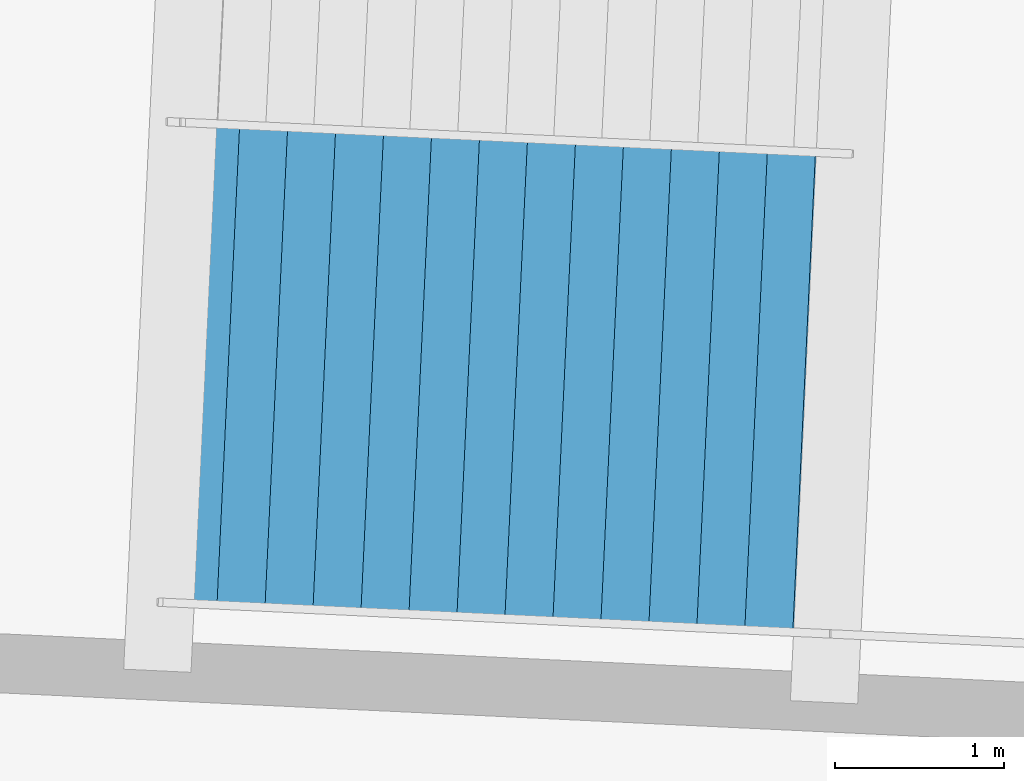
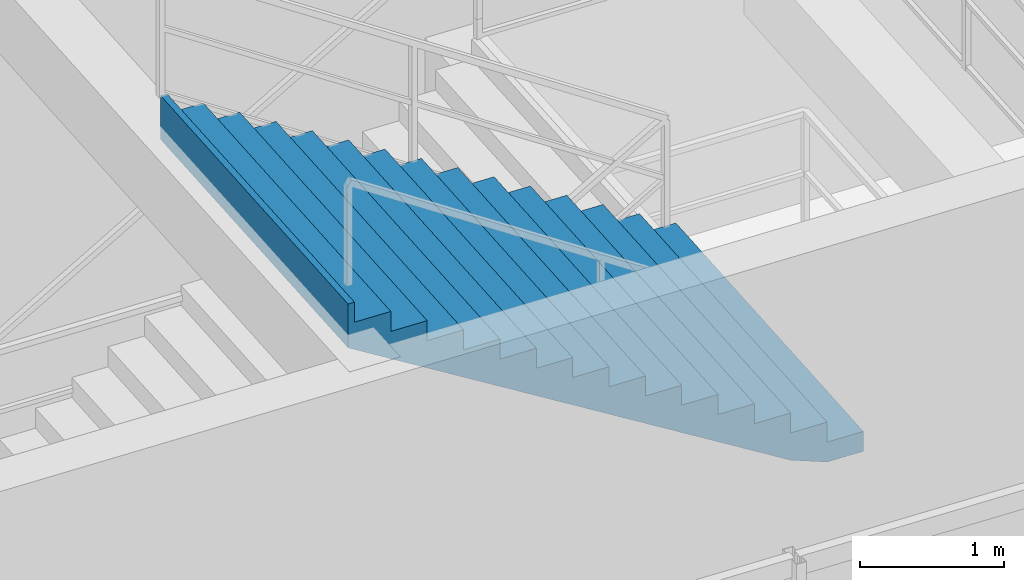
# One storey, part 157 of 184: 1 stair flight, 1 element without a shape of its own.
"""IFC4 building model written with IfcOpenShell, lengths in metres."""

from ifc_helpers import new_model, si_unit, direction, frame, origin, place, context, subcontext, project, spatial, polygons, material, type_object, element, aggregate, save


model = new_model("IFC4")

# Units and contexts
model_context = context("Model", 3, precision=1e-05, world=origin(), true_north=direction((0.0, 1.0)))
body_context = subcontext(model_context, "Body", "Model", "MODEL_VIEW")
ifc_project = project(units=[si_unit("LENGTHUNIT", "METRE"), si_unit("AREAUNIT", "SQUARE_METRE"), si_unit("VOLUMEUNIT", "CUBIC_METRE"), si_unit("PLANEANGLEUNIT", "RADIAN"), si_unit("MASSUNIT", "GRAM", prefix="KILO")], contexts=[model_context])

# Site, building, storey
site_placement = place(None, origin())
site = spatial("IfcSite", under=ifc_project, at=site_placement, CompositionType="ELEMENT")
building_placement = place(site_placement, origin())
building = spatial("IfcBuilding", under=site, at=building_placement, Name="Kazemori Nagisa Stadium", CompositionType="ELEMENT")
storey_placement = place(building_placement, frame((0.0, 0.0, 10.5400390625)))
storey = spatial("IfcBuildingStorey", under=building, at=storey_placement, Name="L02", CompositionType="ELEMENT", Elevation=10.5400390625)

# Stair, stair flight
ifc_material = material(Name="Concrete C36/45 (Fc36)", Category="concrete")
stair_type = type_object("IfcStairType", Name="Stair_CORE_30", PredefinedType="TWO_STRAIGHT_RUN_STAIR", material=ifc_material)
stair_placement = place(storey_placement, origin())
stair = element("IfcStair", 1, at=stair_placement, inside=storey, type_object=stair_type, Name="Exit stair ST12 L02", PredefinedType="TWO_STRAIGHT_RUN_STAIR")
stair_flight_type = type_object("IfcStairFlightType", Name="Flight_CORE_15", PredefinedType="STRAIGHT", material=ifc_material)
stair_flight_placement = place(storey_placement, frame((111.158447265625, 20.973876953125, 2.550048828125), z_axis=(0.0, 0.0, 1.0), x_axis=(-0.99888372663, 0.047236645449, 0.0)))
stair_flight = element("IfcStairFlight", 2, at=stair_flight_placement, type_object=stair_flight_type, Name="Exit stair ST12 L02 flight 2", NumberOfRisers=15, NumberOfTreads=14, PredefinedType="STRAIGHT", RiserHeight=0.17, TreadLength=0.285, context=body_context, shape_type="Tessellation", body=[
    polygons([(0.0, -1.425048828125, 0.0), (0.0, -1.425048828125, 0.169921875), (0.284912109375, -1.425048828125, 0.169921875), (0.284912109375, -1.425048828125, 0.340087890625), (0.570068359375, -1.425048828125, 0.340087890625), (0.570068359375, -1.425048828125, 0.510009765625), (0.85498046875, -1.425048828125, 0.510009765625), (0.85498046875, -1.425048828125, 0.679931640625), (1.139892578125, -1.425048828125, 0.679931640625), (1.139892578125, -1.425048828125, 0.85009765625), (1.425048828125, -1.425048828125, 0.85009765625), (1.425048828125, -1.425048828125, 1.02001953125), (1.7099609375, -1.425048828125, 1.02001953125), (1.7099609375, -1.425048828125, 1.18994140625), (1.9951171875, -1.425048828125, 1.18994140625), (1.9951171875, -1.425048828125, 1.360107421875), (2.280029296875, -1.425048828125, 1.360107421875), (2.280029296875, -1.425048828125, 1.530029296875), (2.56494140625, -1.425048828125, 1.530029296875), (2.56494140625, -1.425048828125, 1.699951171875), (2.85009765625, -1.425048828125, 1.699951171875), (2.85009765625, -1.425048828125, 1.8701171875), (3.135009765625, -1.425048828125, 1.8701171875), (3.135009765625, -1.425048828125, 2.0400390625), (3.419921875, -1.425048828125, 2.0400390625), (3.419921875, -1.425048828125, 2.2099609375), (3.705078125, -1.425048828125, 2.2099609375), (3.705078125, -1.425048828125, 2.3798828125), (3.989990234375, -1.425048828125, 2.3798828125), (3.989990234375, -1.425048828125, 2.550048828125), (4.0400390625, -1.425048828125, 2.550048828125), (4.0400390625, -1.425048828125, 2.177001953125), (3.989990234375, -1.425048828125, 2.147216796875), (3.705078125, -1.425048828125, 1.977294921875), (3.419921875, -1.425048828125, 1.80712890625), (3.135009765625, -1.425048828125, 1.63720703125), (2.85009765625, -1.425048828125, 1.46728515625), (2.56494140625, -1.425048828125, 1.297119140625), (2.280029296875, -1.425048828125, 1.127197265625), (1.9951171875, -1.425048828125, 0.957275390625), (1.7099609375, -1.425048828125, 0.787109375), (1.425048828125, -1.425048828125, 0.6171875), (1.139892578125, -1.425048828125, 0.447265625), (0.85498046875, -1.425048828125, 0.277099609375), (0.570068359375, -1.425048828125, 0.107177734375), (0.284912109375, -1.425048828125, 0.0), (0.0, -0.08544921875, 0.0), (0.0, -0.08544921875, 0.169921875), (0.284912109375, -0.08544921875, 0.169921875), (0.284912109375, -0.08544921875, 0.340087890625), (0.570068359375, -0.08544921875, 0.340087890625), (0.570068359375, -0.08544921875, 0.510009765625), (0.85498046875, -0.08544921875, 0.510009765625), (0.85498046875, -0.08544921875, 0.679931640625), (1.139892578125, -0.08544921875, 0.679931640625), (1.139892578125, -0.08544921875, 0.85009765625), (1.425048828125, -0.08544921875, 0.85009765625), (1.425048828125, -0.08544921875, 1.02001953125), (1.7099609375, -0.08544921875, 1.02001953125), (1.7099609375, -0.08544921875, 1.18994140625), (1.9951171875, -0.08544921875, 1.18994140625), (1.9951171875, -0.08544921875, 1.360107421875), (2.280029296875, -0.08544921875, 1.360107421875), (2.280029296875, -0.08544921875, 1.530029296875), (2.56494140625, -0.08544921875, 1.530029296875), (2.56494140625, -0.08544921875, 1.699951171875), (2.85009765625, -0.08544921875, 1.699951171875), (2.85009765625, -0.08544921875, 1.8701171875), (3.135009765625, -0.08544921875, 1.8701171875), (3.135009765625, -0.08544921875, 2.0400390625), (3.419921875, -0.08544921875, 2.0400390625), (3.419921875, -0.08544921875, 2.2099609375), (3.705078125, -0.08544921875, 2.2099609375), (3.705078125, -0.08544921875, 2.3798828125), (3.989990234375, -0.08544921875, 2.3798828125), (3.989990234375, -0.08544921875, 2.550048828125), (4.0400390625, -0.08544921875, 2.550048828125), (4.0400390625, -0.08544921875, 2.177001953125), (3.989990234375, -0.08544921875, 2.147216796875), (3.705078125, -0.08544921875, 1.977294921875), (3.419921875, -0.08544921875, 1.80712890625), (3.135009765625, -0.08544921875, 1.63720703125), (2.85009765625, -0.08544921875, 1.46728515625), (2.56494140625, -0.08544921875, 1.297119140625), (2.280029296875, -0.08544921875, 1.127197265625), (1.9951171875, -0.08544921875, 0.957275390625), (1.7099609375, -0.08544921875, 0.787109375), (1.425048828125, -0.08544921875, 0.6171875), (1.139892578125, -0.08544921875, 0.447265625), (0.85498046875, -0.08544921875, 0.277099609375), (0.570068359375, -0.08544921875, 0.107177734375), (0.284912109375, -0.08544921875, 0.0), (0.0, 0.0, 0.0), (0.0, 0.0, 0.169921875), (0.284912109375, 0.0, 0.169921875), (0.284912109375, 0.0, 0.340087890625), (0.570068359375, 0.0, 0.340087890625), (0.570068359375, 0.0, 0.510009765625), (0.85498046875, 0.0, 0.510009765625), (0.85498046875, 0.0, 0.679931640625), (1.139892578125, 0.0, 0.679931640625), (1.139892578125, 0.0, 0.85009765625), (1.425048828125, 0.0, 0.85009765625), (1.425048828125, 0.0, 1.02001953125), (1.7099609375, 0.0, 1.02001953125), (1.7099609375, 0.0, 1.18994140625), (1.9951171875, 0.0, 1.18994140625), (1.9951171875, 0.0, 1.360107421875), (2.280029296875, 0.0, 1.360107421875), (2.280029296875, 0.0, 1.530029296875), (2.56494140625, 0.0, 1.530029296875), (2.56494140625, 0.0, 1.699951171875), (2.85009765625, 0.0, 1.699951171875), (2.85009765625, 0.0, 1.8701171875), (3.135009765625, 0.0, 1.8701171875), (3.135009765625, 0.0, 2.0400390625), (3.419921875, 0.0, 2.0400390625), (3.419921875, 0.0, 2.2099609375), (3.705078125, 0.0, 2.2099609375), (3.705078125, 0.0, 2.3798828125), (3.989990234375, 0.0, 2.3798828125), (3.989990234375, 0.0, 2.550048828125), (4.0400390625, 0.0, 2.550048828125), (4.0400390625, 0.0, 2.177001953125), (3.989990234375, 0.0, 2.147216796875), (3.705078125, 0.0, 1.977294921875), (3.419921875, 0.0, 1.80712890625), (3.135009765625, 0.0, 1.63720703125), (2.85009765625, 0.0, 1.46728515625), (2.56494140625, 0.0, 1.297119140625), (2.280029296875, 0.0, 1.127197265625), (1.9951171875, 0.0, 0.957275390625), (1.7099609375, 0.0, 0.787109375), (1.425048828125, 0.0, 0.6171875), (1.139892578125, 0.0, 0.447265625), (0.85498046875, 0.0, 0.277099609375), (0.570068359375, 0.0, 0.107177734375), (0.284912109375, 0.0, 0.0), (0.0, 0.08544921875, 0.0), (0.0, 0.08544921875, 0.169921875), (0.284912109375, 0.08544921875, 0.169921875), (0.284912109375, 0.08544921875, 0.340087890625), (0.570068359375, 0.08544921875, 0.340087890625), (0.570068359375, 0.08544921875, 0.510009765625), (0.85498046875, 0.08544921875, 0.510009765625), (0.85498046875, 0.08544921875, 0.679931640625), (1.139892578125, 0.08544921875, 0.679931640625), (1.139892578125, 0.08544921875, 0.85009765625), (1.425048828125, 0.08544921875, 0.85009765625), (1.425048828125, 0.08544921875, 1.02001953125), (1.7099609375, 0.08544921875, 1.02001953125), (1.7099609375, 0.08544921875, 1.18994140625), (1.9951171875, 0.08544921875, 1.18994140625), (1.9951171875, 0.08544921875, 1.360107421875), (2.280029296875, 0.08544921875, 1.360107421875), (2.280029296875, 0.08544921875, 1.530029296875), (2.56494140625, 0.08544921875, 1.530029296875), (2.56494140625, 0.08544921875, 1.699951171875), (2.85009765625, 0.08544921875, 1.699951171875), (2.85009765625, 0.08544921875, 1.8701171875), (3.135009765625, 0.08544921875, 1.8701171875), (3.135009765625, 0.08544921875, 2.0400390625), (3.419921875, 0.08544921875, 2.0400390625), (3.419921875, 0.08544921875, 2.2099609375), (3.705078125, 0.08544921875, 2.2099609375), (3.705078125, 0.08544921875, 2.3798828125), (3.989990234375, 0.08544921875, 2.3798828125), (3.989990234375, 0.08544921875, 2.550048828125), (4.0400390625, 0.08544921875, 2.550048828125), (4.0400390625, 0.08544921875, 2.177001953125), (3.989990234375, 0.08544921875, 2.147216796875), (3.705078125, 0.08544921875, 1.977294921875), (3.419921875, 0.08544921875, 1.80712890625), (3.135009765625, 0.08544921875, 1.63720703125), (2.85009765625, 0.08544921875, 1.46728515625), (2.56494140625, 0.08544921875, 1.297119140625), (2.280029296875, 0.08544921875, 1.127197265625), (1.9951171875, 0.08544921875, 0.957275390625), (1.7099609375, 0.08544921875, 0.787109375), (1.425048828125, 0.08544921875, 0.6171875), (1.139892578125, 0.08544921875, 0.447265625), (0.85498046875, 0.08544921875, 0.277099609375), (0.570068359375, 0.08544921875, 0.107177734375), (0.284912109375, 0.08544921875, 0.0), (0.0, 1.425048828125, 0.0), (0.0, 1.425048828125, 0.169921875), (0.284912109375, 1.425048828125, 0.169921875), (0.284912109375, 1.425048828125, 0.340087890625), (0.570068359375, 1.425048828125, 0.340087890625), (0.570068359375, 1.425048828125, 0.510009765625), (0.85498046875, 1.425048828125, 0.510009765625), (0.85498046875, 1.425048828125, 0.679931640625), (1.139892578125, 1.425048828125, 0.679931640625), (1.139892578125, 1.425048828125, 0.85009765625), (1.425048828125, 1.425048828125, 0.85009765625), (1.425048828125, 1.425048828125, 1.02001953125), (1.7099609375, 1.425048828125, 1.02001953125), (1.7099609375, 1.425048828125, 1.18994140625), (1.9951171875, 1.425048828125, 1.18994140625), (1.9951171875, 1.425048828125, 1.360107421875), (2.280029296875, 1.425048828125, 1.360107421875), (2.280029296875, 1.425048828125, 1.530029296875), (2.56494140625, 1.425048828125, 1.530029296875), (2.56494140625, 1.425048828125, 1.699951171875), (2.85009765625, 1.425048828125, 1.699951171875), (2.85009765625, 1.425048828125, 1.8701171875), (3.135009765625, 1.425048828125, 1.8701171875), (3.135009765625, 1.425048828125, 2.0400390625), (3.419921875, 1.425048828125, 2.0400390625), (3.419921875, 1.425048828125, 2.2099609375), (3.705078125, 1.425048828125, 2.2099609375), (3.705078125, 1.425048828125, 2.3798828125), (3.989990234375, 1.425048828125, 2.3798828125), (3.989990234375, 1.425048828125, 2.550048828125), (4.0400390625, 1.425048828125, 2.550048828125), (4.0400390625, 1.425048828125, 2.177001953125), (3.989990234375, 1.425048828125, 2.147216796875), (3.705078125, 1.425048828125, 1.977294921875), (3.419921875, 1.425048828125, 1.80712890625), (3.135009765625, 1.425048828125, 1.63720703125), (2.85009765625, 1.425048828125, 1.46728515625), (2.56494140625, 1.425048828125, 1.297119140625), (2.280029296875, 1.425048828125, 1.127197265625), (1.9951171875, 1.425048828125, 0.957275390625), (1.7099609375, 1.425048828125, 0.787109375), (1.425048828125, 1.425048828125, 0.6171875), (1.139892578125, 1.425048828125, 0.447265625), (0.85498046875, 1.425048828125, 0.277099609375), (0.570068359375, 1.425048828125, 0.107177734375), (0.284912109375, 1.425048828125, 0.0)], [[[1, 2, 48]], [[1, 48, 47]], [[2, 3, 49]], [[2, 49, 48]], [[3, 4, 50]], [[3, 50, 49]], [[4, 5, 51]], [[4, 51, 50]], [[5, 6, 52]], [[5, 52, 51]], [[6, 7, 53]], [[6, 53, 52]], [[7, 8, 54]], [[7, 54, 53]], [[8, 9, 55]], [[8, 55, 54]], [[9, 10, 56]], [[9, 56, 55]], [[10, 11, 57]], [[10, 57, 56]], [[11, 12, 58]], [[11, 58, 57]], [[12, 13, 59]], [[12, 59, 58]], [[13, 14, 60]], [[13, 60, 59]], [[14, 15, 61]], [[14, 61, 60]], [[15, 16, 62]], [[15, 62, 61]], [[16, 17, 63]], [[16, 63, 62]], [[17, 18, 64]], [[17, 64, 63]], [[18, 19, 65]], [[18, 65, 64]], [[19, 20, 66]], [[19, 66, 65]], [[20, 21, 67]], [[20, 67, 66]], [[21, 22, 68]], [[21, 68, 67]], [[22, 23, 69]], [[22, 69, 68]], [[23, 24, 70]], [[23, 70, 69]], [[24, 25, 71]], [[24, 71, 70]], [[25, 26, 72]], [[25, 72, 71]], [[26, 27, 73]], [[26, 73, 72]], [[27, 28, 74]], [[27, 74, 73]], [[28, 29, 75]], [[28, 75, 74]], [[29, 30, 76]], [[29, 76, 75]], [[30, 31, 77]], [[30, 77, 76]], [[31, 32, 78]], [[31, 78, 77]], [[32, 33, 79]], [[32, 79, 78]], [[33, 34, 80]], [[33, 80, 79]], [[34, 35, 81]], [[34, 81, 80]], [[35, 36, 82]], [[35, 82, 81]], [[36, 37, 83]], [[36, 83, 82]], [[37, 38, 84]], [[37, 84, 83]], [[38, 39, 85]], [[38, 85, 84]], [[39, 40, 86]], [[39, 86, 85]], [[40, 41, 87]], [[40, 87, 86]], [[41, 42, 88]], [[41, 88, 87]], [[42, 43, 89]], [[42, 89, 88]], [[43, 44, 90]], [[43, 90, 89]], [[44, 45, 91]], [[44, 91, 90]], [[45, 46, 92]], [[45, 92, 91]], [[46, 1, 47]], [[46, 47, 92]], [[47, 48, 94]], [[47, 94, 93]], [[48, 49, 95]], [[48, 95, 94]], [[49, 50, 96]], [[49, 96, 95]], [[50, 51, 97]], [[50, 97, 96]], [[51, 52, 98]], [[51, 98, 97]], [[52, 53, 99]], [[52, 99, 98]], [[53, 54, 100]], [[53, 100, 99]], [[54, 55, 101]], [[54, 101, 100]], [[55, 56, 102]], [[55, 102, 101]], [[56, 57, 103]], [[56, 103, 102]], [[57, 58, 104]], [[57, 104, 103]], [[58, 59, 105]], [[58, 105, 104]], [[59, 60, 106]], [[59, 106, 105]], [[60, 61, 107]], [[60, 107, 106]], [[61, 62, 108]], [[61, 108, 107]], [[62, 63, 109]], [[62, 109, 108]], [[63, 64, 110]], [[63, 110, 109]], [[64, 65, 111]], [[64, 111, 110]], [[65, 66, 112]], [[65, 112, 111]], [[66, 67, 113]], [[66, 113, 112]], [[67, 68, 114]], [[67, 114, 113]], [[68, 69, 115]], [[68, 115, 114]], [[69, 70, 116]], [[69, 116, 115]], [[70, 71, 117]], [[70, 117, 116]], [[71, 72, 118]], [[71, 118, 117]], [[72, 73, 119]], [[72, 119, 118]], [[73, 74, 120]], [[73, 120, 119]], [[74, 75, 121]], [[74, 121, 120]], [[75, 76, 122]], [[75, 122, 121]], [[76, 77, 123]], [[76, 123, 122]], [[77, 78, 124]], [[77, 124, 123]], [[78, 79, 125]], [[78, 125, 124]], [[79, 80, 126]], [[79, 126, 125]], [[80, 81, 127]], [[80, 127, 126]], [[81, 82, 128]], [[81, 128, 127]], [[82, 83, 129]], [[82, 129, 128]], [[83, 84, 130]], [[83, 130, 129]], [[84, 85, 131]], [[84, 131, 130]], [[85, 86, 132]], [[85, 132, 131]], [[86, 87, 133]], [[86, 133, 132]], [[87, 88, 134]], [[87, 134, 133]], [[88, 89, 135]], [[88, 135, 134]], [[89, 90, 136]], [[89, 136, 135]], [[90, 91, 137]], [[90, 137, 136]], [[91, 92, 138]], [[91, 138, 137]], [[92, 47, 93]], [[92, 93, 138]], [[93, 94, 140]], [[93, 140, 139]], [[94, 95, 141]], [[94, 141, 140]], [[95, 96, 142]], [[95, 142, 141]], [[96, 97, 143]], [[96, 143, 142]], [[97, 98, 144]], [[97, 144, 143]], [[98, 99, 145]], [[98, 145, 144]], [[99, 100, 146]], [[99, 146, 145]], [[100, 101, 147]], [[100, 147, 146]], [[101, 102, 148]], [[101, 148, 147]], [[102, 103, 149]], [[102, 149, 148]], [[103, 104, 150]], [[103, 150, 149]], [[104, 105, 151]], [[104, 151, 150]], [[105, 106, 152]], [[105, 152, 151]], [[106, 107, 153]], [[106, 153, 152]], [[107, 108, 154]], [[107, 154, 153]], [[108, 109, 155]], [[108, 155, 154]], [[109, 110, 156]], [[109, 156, 155]], [[110, 111, 157]], [[110, 157, 156]], [[111, 112, 158]], [[111, 158, 157]], [[112, 113, 159]], [[112, 159, 158]], [[113, 114, 160]], [[113, 160, 159]], [[114, 115, 161]], [[114, 161, 160]], [[115, 116, 162]], [[115, 162, 161]], [[116, 117, 163]], [[116, 163, 162]], [[117, 118, 164]], [[117, 164, 163]], [[118, 119, 165]], [[118, 165, 164]], [[119, 120, 166]], [[119, 166, 165]], [[120, 121, 167]], [[120, 167, 166]], [[121, 122, 168]], [[121, 168, 167]], [[122, 123, 169]], [[122, 169, 168]], [[123, 124, 170]], [[123, 170, 169]], [[124, 125, 171]], [[124, 171, 170]], [[125, 126, 172]], [[125, 172, 171]], [[126, 127, 173]], [[126, 173, 172]], [[127, 128, 174]], [[127, 174, 173]], [[128, 129, 175]], [[128, 175, 174]], [[129, 130, 176]], [[129, 176, 175]], [[130, 131, 177]], [[130, 177, 176]], [[131, 132, 178]], [[131, 178, 177]], [[132, 133, 179]], [[132, 179, 178]], [[133, 134, 180]], [[133, 180, 179]], [[134, 135, 181]], [[134, 181, 180]], [[135, 136, 182]], [[135, 182, 181]], [[136, 137, 183]], [[136, 183, 182]], [[137, 138, 184]], [[137, 184, 183]], [[138, 93, 139]], [[138, 139, 184]], [[139, 140, 186]], [[139, 186, 185]], [[140, 141, 187]], [[140, 187, 186]], [[141, 142, 188]], [[141, 188, 187]], [[142, 143, 189]], [[142, 189, 188]], [[143, 144, 190]], [[143, 190, 189]], [[144, 145, 191]], [[144, 191, 190]], [[145, 146, 192]], [[145, 192, 191]], [[146, 147, 193]], [[146, 193, 192]], [[147, 148, 194]], [[147, 194, 193]], [[148, 149, 195]], [[148, 195, 194]], [[149, 150, 196]], [[149, 196, 195]], [[150, 151, 197]], [[150, 197, 196]], [[151, 152, 198]], [[151, 198, 197]], [[152, 153, 199]], [[152, 199, 198]], [[153, 154, 200]], [[153, 200, 199]], [[154, 155, 201]], [[154, 201, 200]], [[155, 156, 202]], [[155, 202, 201]], [[156, 157, 203]], [[156, 203, 202]], [[157, 158, 204]], [[157, 204, 203]], [[158, 159, 205]], [[158, 205, 204]], [[159, 160, 206]], [[159, 206, 205]], [[160, 161, 207]], [[160, 207, 206]], [[161, 162, 208]], [[161, 208, 207]], [[162, 163, 209]], [[162, 209, 208]], [[163, 164, 210]], [[163, 210, 209]], [[164, 165, 211]], [[164, 211, 210]], [[165, 166, 212]], [[165, 212, 211]], [[166, 167, 213]], [[166, 213, 212]], [[167, 168, 214]], [[167, 214, 213]], [[168, 169, 215]], [[168, 215, 214]], [[169, 170, 216]], [[169, 216, 215]], [[170, 171, 217]], [[170, 217, 216]], [[171, 172, 218]], [[171, 218, 217]], [[172, 173, 219]], [[172, 219, 218]], [[173, 174, 220]], [[173, 220, 219]], [[174, 175, 221]], [[174, 221, 220]], [[175, 176, 222]], [[175, 222, 221]], [[176, 177, 223]], [[176, 223, 222]], [[177, 178, 224]], [[177, 224, 223]], [[178, 179, 225]], [[178, 225, 224]], [[179, 180, 226]], [[179, 226, 225]], [[180, 181, 227]], [[180, 227, 226]], [[181, 182, 228]], [[181, 228, 227]], [[182, 183, 229]], [[182, 229, 228]], [[183, 184, 230]], [[183, 230, 229]], [[184, 139, 185]], [[184, 185, 230]], [[3, 2, 1]], [[185, 186, 187]], [[46, 3, 1]], [[185, 187, 230]], [[45, 3, 46]], [[230, 187, 229]], [[5, 3, 45]], [[229, 187, 189]], [[5, 4, 3]], [[187, 188, 189]], [[44, 5, 45]], [[229, 189, 228]], [[7, 5, 44]], [[228, 189, 191]], [[7, 6, 5]], [[189, 190, 191]], [[43, 7, 44]], [[228, 191, 227]], [[9, 7, 43]], [[227, 191, 193]], [[9, 8, 7]], [[191, 192, 193]], [[42, 9, 43]], [[227, 193, 226]], [[11, 9, 42]], [[226, 193, 195]], [[11, 10, 9]], [[193, 194, 195]], [[41, 11, 42]], [[226, 195, 225]], [[13, 11, 41]], [[225, 195, 197]], [[13, 12, 11]], [[195, 196, 197]], [[40, 13, 41]], [[225, 197, 224]], [[15, 13, 40]], [[224, 197, 199]], [[15, 14, 13]], [[197, 198, 199]], [[39, 15, 40]], [[224, 199, 223]], [[17, 15, 39]], [[223, 199, 201]], [[17, 16, 15]], [[199, 200, 201]], [[38, 17, 39]], [[223, 201, 222]], [[19, 17, 38]], [[222, 201, 203]], [[19, 18, 17]], [[201, 202, 203]], [[37, 19, 38]], [[222, 203, 221]], [[21, 19, 37]], [[221, 203, 205]], [[21, 20, 19]], [[203, 204, 205]], [[36, 21, 37]], [[221, 205, 220]], [[23, 21, 36]], [[220, 205, 207]], [[23, 22, 21]], [[205, 206, 207]], [[35, 23, 36]], [[220, 207, 219]], [[25, 23, 35]], [[219, 207, 209]], [[25, 24, 23]], [[207, 208, 209]], [[34, 25, 35]], [[219, 209, 218]], [[27, 25, 34]], [[218, 209, 211]], [[27, 26, 25]], [[209, 210, 211]], [[33, 27, 34]], [[218, 211, 217]], [[29, 27, 33]], [[217, 211, 213]], [[29, 28, 27]], [[211, 212, 213]], [[32, 29, 33]], [[217, 213, 216]], [[31, 29, 32]], [[216, 213, 215]], [[31, 30, 29]], [[213, 214, 215]]], closed=True),
])
aggregate(stair, [stair_flight])

save(model, "model.ifc")
